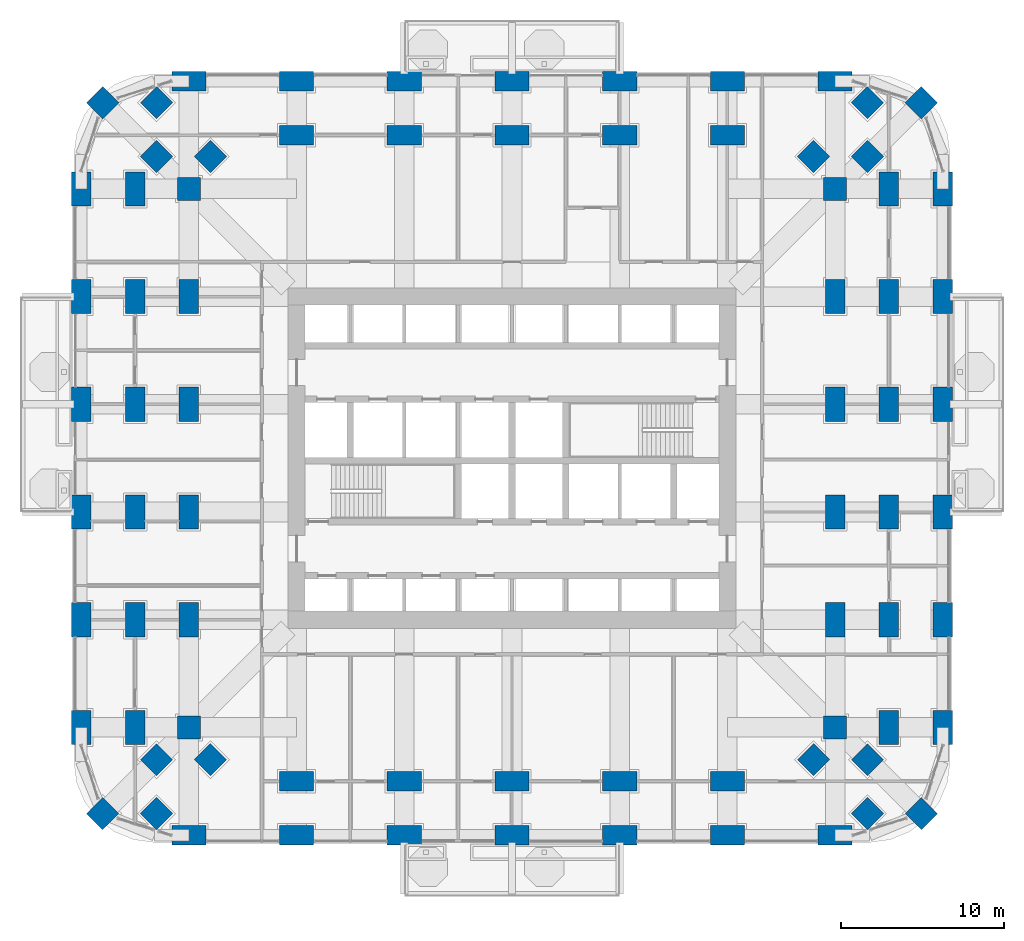
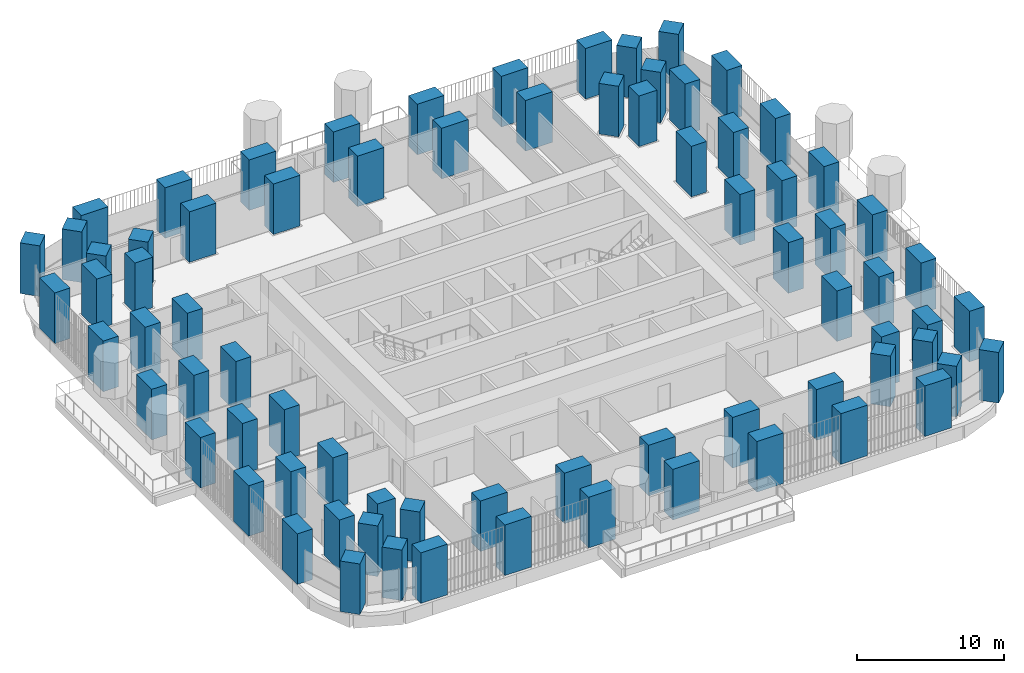
# One storey, part 1 of 26: 76 columns.
"""IFC4 building model written with IfcOpenShell, lengths in metres."""

import ifcopenshell
import ifcopenshell.guid

model = None  # the IFC model being written
_history = None  # IfcOwnerHistory: only IFC2X3 demands one
_inside = {}  # id of a spatial element -> (the spatial element, [elements in it])
_under = {}  # id of a project, library or spatial element -> (it, [spatial elements below it])
_declared = {}  # id of a project -> (the project, [libraries it declares])
_typed = {}  # id of a type object -> (the type object, [elements of that type])
_made_of = {}  # id of a material, layer set ... -> (it, [elements and type objects made of it])


def new_model(schema):
    """Start an empty IFC model of exactly this schema.

    Asked for "IFC4X3", IfcOpenShell would pick the latest addendum, in which some entities
    have other attributes; the version numbers below select the first issue.
    IFC2X3 requires an IfcOwnerHistory on every rooted entity: one is made here for all.
    """
    global model, _history
    if schema == "IFC4X3":
        model = ifcopenshell.file(schema_version=(4, 3, 0, 0))
    else:
        model = ifcopenshell.file(schema=schema)
    _inside.clear()
    _under.clear()
    _declared.clear()
    _typed.clear()
    _made_of.clear()
    _history = None
    if model.schema == "IFC2X3":
        org = make("IfcOrganization", Name="unknown")
        user = make(
            "IfcPersonAndOrganization",
            ThePerson=make("IfcPerson", FamilyName="unknown"),
            TheOrganization=org,
        )
        app = make(
            "IfcApplication",
            ApplicationDeveloper=org,
            Version="unknown",
            ApplicationFullName="unknown",
            ApplicationIdentifier="unknown",
        )
        _history = make(
            "IfcOwnerHistory",
            OwningUser=user,
            OwningApplication=app,
            ChangeAction="ADDED",
            CreationDate=0,
        )
    return model


def make(cls, **values):
    """One entity of the class cls with the attributes given. An attribute that is None is left unset."""
    return model.create_entity(
        cls, **{name: value for name, value in values.items() if value is not None}
    )


def rooted(cls, **values):
    """An entity with a GlobalId (a new one), such as an element, a storey or a relation."""
    return make(cls, GlobalId=ifcopenshell.guid.new(), OwnerHistory=_history, **values)


def si_unit(unit_type, name, prefix=None):
    """IfcSIUnit, for example si_unit("LENGTHUNIT", "METRE", prefix="MILLI")."""
    return make("IfcSIUnit", UnitType=unit_type, Prefix=prefix, Name=name)


def assignment(units):
    """IfcUnitAssignment: the units of a project."""
    return None if units is None else make("IfcUnitAssignment", Units=units)


def point(xyz):
    """IfcCartesianPoint."""
    return None if xyz is None else make("IfcCartesianPoint", Coordinates=xyz)


def direction(xyz):
    """IfcDirection."""
    return None if xyz is None else make("IfcDirection", DirectionRatios=xyz)


def frame(location, z_axis=None, x_axis=None):
    """IfcAxis2Placement3D, a coordinate frame: its origin and axes. An axis left out is left unset."""
    return make(
        "IfcAxis2Placement3D",
        Location=point(location),
        Axis=direction(z_axis),
        RefDirection=direction(x_axis),
    )


def frame_2d(location, x_axis=None):
    """IfcAxis2Placement2D, a coordinate frame in the plane: its origin and x axis."""
    return make(
        "IfcAxis2Placement2D", Location=point(location), RefDirection=direction(x_axis)
    )


def origin():
    """The frame at (0, 0, 0) with its axes left unset."""
    return frame((0.0, 0.0, 0.0))


def origin_2d():
    """The frame at (0, 0) in the plane with its x axis left unset."""
    return frame_2d((0.0, 0.0))


def place(relative_to, where):
    """IfcLocalPlacement: puts the frame where relative to a parent placement (None: the world)."""
    return make(
        "IfcLocalPlacement", PlacementRelTo=relative_to, RelativePlacement=where
    )


def context(
    kind, dimensions, precision=None, world=None, true_north=None, identifier=None
):
    """IfcGeometricRepresentationContext, for example the 3D "Model" context."""
    return make(
        "IfcGeometricRepresentationContext",
        ContextIdentifier=identifier,
        ContextType=kind,
        CoordinateSpaceDimension=dimensions,
        Precision=precision,
        WorldCoordinateSystem=world,
        TrueNorth=true_north,
    )


def subcontext(parent, identifier, kind, view, scale=None):
    """IfcGeometricRepresentationSubContext, for example "Body" below "Model"."""
    return make(
        "IfcGeometricRepresentationSubContext",
        ContextIdentifier=identifier,
        ContextType=kind,
        ParentContext=parent,
        TargetScale=scale,
        TargetView=view,
    )


def project(units=None, contexts=None):
    """IfcProject with its units and contexts."""
    return rooted(
        "IfcProject",
        Name="project",
        RepresentationContexts=contexts,
        UnitsInContext=assignment(units),
    )


def spatial(cls, under=None, at=None, **own):
    """A site, building, storey or space (cls), placed at a placement, below another one or the project."""
    s = rooted(cls, ObjectPlacement=at, **own)
    if under is not None:
        _under.setdefault(under.id(), (under, []))[1].append(s)
    return s


def profile(cls, at=None, kind="AREA", **sizes):
    """A parametric profile (cls). Its sizes go by their IFC names, for example OverallWidth=200.0."""
    return make(cls, ProfileType=kind, Position=at, **sizes)


def rectangle(**sizes):
    """IfcRectangleProfileDef."""
    return profile("IfcRectangleProfileDef", **sizes)


def extrude(swept, where, along, depth):
    """IfcExtrudedAreaSolid: the profile swept, set in the frame where, extruded along a direction by depth."""
    return make(
        "IfcExtrudedAreaSolid",
        SweptArea=swept,
        Position=where,
        ExtrudedDirection=direction(along),
        Depth=depth,
    )


def shape(context_of_items, identifier, shape_type, items):
    """IfcShapeRepresentation: the items that make up one representation, for example the "Body"."""
    return make(
        "IfcShapeRepresentation",
        ContextOfItems=context_of_items,
        RepresentationIdentifier=identifier,
        RepresentationType=shape_type,
        Items=items,
    )


def material(Name=None, Category=None):
    """IfcMaterial."""
    return make("IfcMaterial", Name=Name, Category=Category)


def material_profile(
    of_material, cross_section, Name=None, Category=None, Priority=None
):
    """IfcMaterialProfile: a cross section and its material."""
    return make(
        "IfcMaterialProfile",
        Name=Name,
        Material=of_material,
        Profile=cross_section,
        Priority=Priority,
        Category=Category,
    )


def profile_set(profiles, Name=None, composite=None):
    """IfcMaterialProfileSet."""
    return make(
        "IfcMaterialProfileSet",
        Name=Name,
        MaterialProfiles=profiles,
        CompositeProfile=composite,
    )


def made_of(thing, what):
    """Note that an element or type object is made of a material, layer set ...; save() writes the relation."""
    if what is not None:
        _made_of.setdefault(what.id(), (what, []))[1].append(thing)
    return thing


def type_object(cls, material=None, **own):
    """A type object (cls), such as IfcWallType, which elements share."""
    return made_of(rooted(cls, **own), material)


def element(
    cls,
    number,
    at=None,
    inside=None,
    cuts=None,
    type_object=None,
    material=None,
    context=None,
    identifier="Body",
    shape_type=None,
    held_by="IfcProductDefinitionShape",
    body=None,
    shapes=None,
    **own,
):
    """One element of the class cls, such as IfcWall. Its Tag is "e" and its number.

    at: its placement. inside: the storey or other place that contains it. cuts: it is an
    opening in that element (IfcRelVoidsElement). A single representation is given by context,
    identifier, shape_type and body (its items); several are given by shapes. held_by: the class
    of the entity that holds the representations. save() writes the other relations.
    """
    e = rooted(cls, Tag="e%d" % number, ObjectPlacement=at, **own)
    if body is not None:
        shapes = [shape(context, identifier, shape_type, body)]
    if shapes is not None:
        e.Representation = make(held_by, Representations=shapes)
    if inside is not None:
        _inside.setdefault(inside.id(), (inside, []))[1].append(e)
    if cuts is not None:
        rooted(
            "IfcRelVoidsElement", RelatingBuildingElement=cuts, RelatedOpeningElement=e
        )
    if type_object is not None:
        _typed.setdefault(type_object.id(), (type_object, []))[1].append(e)
    return made_of(e, material)


def aggregate(whole, parts):
    """IfcRelAggregates: a whole, such as a stair, and the parts it consists of."""
    return rooted("IfcRelAggregates", RelatingObject=whole, RelatedObjects=parts)


def save(model, path):
    """Write the relations noted so far, then the file.

    IfcRelAggregates (storeys below a building ...), IfcRelContainedInSpatialStructure (elements
    in a storey), IfcRelDefinesByType, IfcRelAssociatesMaterial and IfcRelDeclares: one each for
    every whole, place, type object, material and project.
    """
    for whole, parts in _under.values():
        aggregate(whole, parts)
    for where, things in _inside.values():
        rooted(
            "IfcRelContainedInSpatialStructure",
            RelatedElements=things,
            RelatingStructure=where,
        )
    for kind, things in _typed.values():
        rooted("IfcRelDefinesByType", RelatedObjects=things, RelatingType=kind)
    for what, things in _made_of.values():
        rooted("IfcRelAssociatesMaterial", RelatedObjects=things, RelatingMaterial=what)
    for by, libraries in _declared.values():
        rooted("IfcRelDeclares", RelatingContext=by, RelatedDefinitions=libraries)
    model.write(path)


model = new_model("IFC4")

# Units and contexts
model_context = context("Model", 3, precision=1e-05, world=origin(), true_north=direction((0.0, 1.0)))
body_context = subcontext(model_context, "Body", "Model", "MODEL_VIEW")
ifc_project = project(units=[si_unit("LENGTHUNIT", "METRE"), si_unit("AREAUNIT", "SQUARE_METRE"), si_unit("VOLUMEUNIT", "CUBIC_METRE"), si_unit("PLANEANGLEUNIT", "RADIAN"), si_unit("MASSUNIT", "GRAM", prefix="KILO")], contexts=[model_context])

# Site, building, storey
site_placement = place(None, origin())
site = spatial("IfcSite", under=ifc_project, at=site_placement, CompositionType="ELEMENT")
building_placement = place(site_placement, origin())
building = spatial("IfcBuilding", under=site, at=building_placement, Name="Cobogo Forest Laboratory Tower", CompositionType="ELEMENT")
storey_placement = place(building_placement, frame((0.0, 0.0, 33.89990234375)))
storey = spatial("IfcBuildingStorey", under=building, at=storey_placement, Name="L07", CompositionType="ELEMENT", Elevation=33.89990234375)

# Columns
ifc_material = material(Name="Concrete HA-50 (C50/60)", Category="concrete")
ifc_material_profile_1 = material_profile(ifc_material, rectangle(XDim=2.10009765625, YDim=1.199951171875, at=origin_2d()), Name="RC 1200x2100")
ifc_profile_set_1 = profile_set([ifc_material_profile_1], Name="Concrete HA-50 (C50/60)")
column_type_1 = type_object("IfcColumnType", Name="Blade column 1200x2100", PredefinedType="COLUMN", material=ifc_profile_set_1)
for number, where, z_axis, x_axis, name in (
    (1, (6.60009765625, 0.0, 0.0), (0.0, 0.0, 1.0), (1.0, 0.0, 0.0), "Column 2-A L07"),
    (2, (13.199951171875, 0.0, 0.0), (0.0, 0.0, 1.0), (1.0, 0.0, 0.0), "Column 3-A L07"),
    (3, (19.800048828125, 0.0, 0.0), (0.0, 0.0, 1.0), (1.0, 0.0, 0.0), "Column 4-A L07"),
    (4, (26.39990234375, 0.0, 0.0), (0.0, 0.0, 1.0), (1.0, 0.0, 0.0), "Column 5-A L07"),
    (5, (33.0, 0.0, 0.0), (0.0, 0.0, 1.0), (1.0, 0.0, 0.0), "Column 6-A L07"),
    (6, (39.60009765625, 0.0, 0.0), (0.0, 0.0, 1.0), (1.0, 0.0, 0.0), "Column 7-A L07"),
    (7, (46.199951171875, 0.0, 0.0), (0.0, 0.0, 1.0), (1.0, 0.0, 0.0), "Column 8-A L07"),
    (8, (0.0, 6.60009765625, 0.0), (0.0, 0.0, 1.0), (0.0, 1.0, 0.0), "Column 1-B L07"),
    (9, (52.800048828125, 6.60009765625, 0.0), (0.0, 0.0, 1.0), (0.0, 1.0, 0.0), "Column 9-B L07"),
    (10, (0.0, 13.199951171875, 0.0), (0.0, 0.0, 1.0), (0.0, 1.0, 0.0), "Column 1-C L07"),
    (11, (52.800048828125, 13.199951171875, 0.0), (0.0, 0.0, 1.0), (0.0, 1.0, 0.0), "Column 9-C L07"),
    (12, (0.0, 19.800048828125, 0.0), (0.0, 0.0, 1.0), (0.0, 1.0, 0.0), "Column 1-D L07"),
    (13, (52.800048828125, 19.800048828125, 0.0), (0.0, 0.0, 1.0), (0.0, 1.0, 0.0), "Column 9-D L07"),
    (14, (0.0, 26.39990234375, 0.0), (0.0, 0.0, 1.0), (0.0, 1.0, 0.0), "Column 1-E L07"),
    (15, (52.800048828125, 26.39990234375, 0.0), (0.0, 0.0, 1.0), (0.0, 1.0, 0.0), "Column 9-E L07"),
    (16, (0.0, 33.0, 0.0), (0.0, 0.0, 1.0), (0.0, 1.0, 0.0), "Column 1-F L07"),
    (17, (52.800048828125, 33.0, 0.0), (0.0, 0.0, 1.0), (0.0, 1.0, 0.0), "Column 9-F L07"),
    (18, (0.0, 39.60009765625, 0.0), (0.0, 0.0, 1.0), (0.0, 1.0, 0.0), "Column 1-G L07"),
    (19, (52.800048828125, 39.60009765625, 0.0), (0.0, 0.0, 1.0), (0.0, 1.0, 0.0), "Column 9-G L07"),
    (20, (6.60009765625, 46.199951171875, 0.0), (0.0, 0.0, 1.0), (1.0, 0.0, 0.0), "Column 2-H L07"),
    (21, (13.199951171875, 46.199951171875, 0.0), (0.0, 0.0, 1.0), (1.0, 0.0, 0.0), "Column 3-H L07"),
    (22, (19.800048828125, 46.199951171875, 0.0), (0.0, 0.0, 1.0), (1.0, 0.0, 0.0), "Column 4-H L07"),
    (23, (26.39990234375, 46.199951171875, 0.0), (0.0, 0.0, 1.0), (1.0, 0.0, 0.0), "Column 5-H L07"),
    (24, (33.0, 46.199951171875, 0.0), (0.0, 0.0, 1.0), (1.0, 0.0, 0.0), "Column 6-H L07"),
    (25, (39.60009765625, 46.199951171875, 0.0), (0.0, 0.0, 1.0), (1.0, 0.0, 0.0), "Column 7-H L07"),
    (26, (46.199951171875, 46.199951171875, 0.0), (0.0, 0.0, 1.0), (1.0, 0.0, 0.0), "Column 8-H L07"),
    (27, (3.300048828125, 6.60009765625, 0.0), (0.0, 0.0, 1.0), (0.0, 1.0, 0.0), "Column 1.1-B-B L07"),
    (28, (49.5, 6.60009765625, 0.0), (0.0, 0.0, 1.0), (0.0, 1.0, 0.0), "Column 8.1-B-B L07"),
    (29, (3.300048828125, 13.199951171875, 0.0), (0.0, 0.0, 1.0), (0.0, 1.0, 0.0), "Column 1.1-C-B L07"),
    (30, (49.5, 13.199951171875, 0.0), (0.0, 0.0, 1.0), (0.0, 1.0, 0.0), "Column 8.1-C-B L07"),
    (31, (3.300048828125, 19.800048828125, 0.0), (0.0, 0.0, 1.0), (0.0, 1.0, 0.0), "Column 1.1-D-B L07"),
    (32, (49.5, 19.800048828125, 0.0), (0.0, 0.0, 1.0), (0.0, 1.0, 0.0), "Column 8.1-D-B L07"),
    (33, (3.300048828125, 26.39990234375, 0.0), (0.0, 0.0, 1.0), (0.0, 1.0, 0.0), "Column 1.1-E-B L07"),
    (34, (49.5, 26.39990234375, 0.0), (0.0, 0.0, 1.0), (0.0, 1.0, 0.0), "Column 8.1-E-B L07"),
    (35, (3.300048828125, 33.0, 0.0), (0.0, 0.0, 1.0), (0.0, 1.0, 0.0), "Column 1.1-F-B L07"),
    (36, (49.5, 33.0, 0.0), (0.0, 0.0, 1.0), (0.0, 1.0, 0.0), "Column 8.1-F-B L07"),
    (37, (3.300048828125, 39.60009765625, 0.0), (0.0, 0.0, 1.0), (0.0, 1.0, 0.0), "Column 1.1-G-B L07"),
    (38, (49.5, 39.60009765625, 0.0), (0.0, 0.0, 1.0), (0.0, 1.0, 0.0), "Column 8.1-G-B L07"),
    (39, (13.199951171875, 3.300048828125, 0.0), (0.0, 0.0, 1.0), (1.0, 0.0, 0.0), "Column 3-A.1-C L07"),
    (40, (19.800048828125, 3.300048828125, 0.0), (0.0, 0.0, 1.0), (1.0, 0.0, 0.0), "Column 4-A.1-C L07"),
    (41, (26.39990234375, 3.300048828125, 0.0), (0.0, 0.0, 1.0), (1.0, 0.0, 0.0), "Column 5-A.1-C L07"),
    (42, (33.0, 3.300048828125, 0.0), (0.0, 0.0, 1.0), (1.0, 0.0, 0.0), "Column 6-A.1-C L07"),
    (43, (39.60009765625, 3.300048828125, 0.0), (0.0, 0.0, 1.0), (1.0, 0.0, 0.0), "Column 7-A.1-C L07"),
    (44, (13.199951171875, 42.89990234375, 0.0), (0.0, 0.0, 1.0), (1.0, 0.0, 0.0), "Column 3-G.1-C L07"),
    (45, (19.800048828125, 42.89990234375, 0.0), (0.0, 0.0, 1.0), (1.0, 0.0, 0.0), "Column 4-G.1-C L07"),
    (46, (26.39990234375, 42.89990234375, 0.0), (0.0, 0.0, 1.0), (1.0, 0.0, 0.0), "Column 5-G.1-C L07"),
    (47, (33.0, 42.89990234375, 0.0), (0.0, 0.0, 1.0), (1.0, 0.0, 0.0), "Column 6-G.1-C L07"),
    (48, (39.60009765625, 42.89990234375, 0.0), (0.0, 0.0, 1.0), (1.0, 0.0, 0.0), "Column 7-G.1-C L07"),
    (49, (6.60009765625, 13.199951171875, 0.0), (0.0, 0.0, 1.0), (0.0, 1.0, 0.0), "Column 2-C-D L07"),
    (50, (46.199951171875, 13.199951171875, 0.0), (0.0, 0.0, 1.0), (0.0, 1.0, 0.0), "Column 8-C-D L07"),
    (51, (6.60009765625, 19.800048828125, 0.0), (0.0, 0.0, 1.0), (0.0, 1.0, 0.0), "Column 2-D-D L07"),
    (52, (46.199951171875, 19.800048828125, 0.0), (0.0, 0.0, 1.0), (0.0, 1.0, 0.0), "Column 8-D-D L07"),
    (53, (6.60009765625, 26.39990234375, 0.0), (0.0, 0.0, 1.0), (0.0, 1.0, 0.0), "Column 2-E-D L07"),
    (54, (46.199951171875, 26.39990234375, 0.0), (0.0, 0.0, 1.0), (0.0, 1.0, 0.0), "Column 8-E-D L07"),
    (55, (6.60009765625, 33.0, 0.0), (0.0, 0.0, 1.0), (0.0, 1.0, 0.0), "Column 2-F-D L07"),
    (56, (46.199951171875, 33.0, 0.0), (0.0, 0.0, 1.0), (0.0, 1.0, 0.0), "Column 8-F-D L07"),
):
    element("IfcColumn", number, at=place(storey_placement, frame(where, z_axis=z_axis, x_axis=x_axis)), inside=storey, type_object=column_type_1, Name=name, PredefinedType="COLUMN", context=body_context, shape_type="SweptSolid", body=[
        extrude(rectangle(XDim=2.10009765625, YDim=1.199951171875, at=origin_2d()), origin(), (0.0, 0.0, 1.0), 4.2001953125),
    ])
ifc_material_profile_2 = material_profile(ifc_material, rectangle(XDim=1.39990234375, YDim=1.39990234375, at=origin_2d()), Name="RC 1400x1400")
ifc_profile_set_2 = profile_set([ifc_material_profile_2], Name="Concrete HA-50 (C50/60)")
column_type_2 = type_object("IfcColumnType", Name="Column 1400x1400", PredefinedType="COLUMN", material=ifc_profile_set_2)
for number, where, z_axis, x_axis, name in (
    (57, (1.318115234375, 1.318115234375, 0.0), (0.0, 0.0, 1.0), (0.707106781187, 0.707106781187, 0.0), "Column CNR-SW L07"),
    (58, (51.48193359375, 1.318115234375, 0.0), (0.0, 0.0, 1.0), (0.707106781187, 0.707106781187, 0.0), "Column CNR-SE L07"),
    (59, (1.318115234375, 44.882080078125, 0.0), (0.0, 0.0, 1.0), (0.707106781187, 0.707106781187, 0.0), "Column CNR-NW L07"),
    (60, (51.48193359375, 44.882080078125, 0.0), (0.0, 0.0, 1.0), (0.707106781187, 0.707106781187, 0.0), "Column CNR-NE L07"),
    (61, (6.60009765625, 6.60009765625, 0.0), (0.0, 0.0, 1.0), (1.0, 0.0, 0.0), "Column 2-B L07"),
    (62, (46.199951171875, 6.60009765625, 0.0), (0.0, 0.0, 1.0), (1.0, 0.0, 0.0), "Column 8-B L07"),
    (63, (6.60009765625, 39.60009765625, 0.0), (0.0, 0.0, 1.0), (1.0, 0.0, 0.0), "Column 2-G L07"),
    (64, (46.199951171875, 39.60009765625, 0.0), (0.0, 0.0, 1.0), (1.0, 0.0, 0.0), "Column 8-G L07"),
    (65, (4.617919921875, 1.318115234375, 0.0), (0.0, 0.0, 1.0), (0.707106781187, 0.707106781187, 0.0), "Column CNR-SW-B L07"),
    (66, (48.181884765625, 1.318115234375, 0.0), (0.0, 0.0, 1.0), (0.707106781187, 0.707106781187, 0.0), "Column CNR-SE-B L07"),
    (67, (4.617919921875, 44.882080078125, 0.0), (0.0, 0.0, 1.0), (0.707106781187, 0.707106781187, 0.0), "Column CNR-NW-B L07"),
    (68, (48.181884765625, 44.882080078125, 0.0), (0.0, 0.0, 1.0), (0.707106781187, 0.707106781187, 0.0), "Column CNR-NE-B L07"),
    (69, (4.617919921875, 4.617919921875, 0.0), (0.0, 0.0, 1.0), (0.707106781187, 0.707106781187, 0.0), "Column CNR-SW-C L07"),
    (70, (48.181884765625, 4.617919921875, 0.0), (0.0, 0.0, 1.0), (0.707106781187, 0.707106781187, 0.0), "Column CNR-SE-C L07"),
    (71, (4.617919921875, 41.58203125, 0.0), (0.0, 0.0, 1.0), (0.707106781187, 0.707106781187, 0.0), "Column CNR-NW-C L07"),
    (72, (48.181884765625, 41.58203125, 0.0), (0.0, 0.0, 1.0), (0.707106781187, 0.707106781187, 0.0), "Column CNR-NE-C L07"),
    (73, (7.91796875, 4.617919921875, 0.0), (0.0, 0.0, 1.0), (0.707106781187, 0.707106781187, 0.0), "Column CNR-SW-D L07"),
    (74, (44.882080078125, 4.617919921875, 0.0), (0.0, 0.0, 1.0), (0.707106781187, 0.707106781187, 0.0), "Column CNR-SE-D L07"),
    (75, (7.91796875, 41.58203125, 0.0), (0.0, 0.0, 1.0), (0.707106781187, 0.707106781187, 0.0), "Column CNR-NW-D L07"),
    (76, (44.882080078125, 41.58203125, 0.0), (0.0, 0.0, 1.0), (0.707106781187, 0.707106781187, 0.0), "Column CNR-NE-D L07"),
):
    element("IfcColumn", number, at=place(storey_placement, frame(where, z_axis=z_axis, x_axis=x_axis)), inside=storey, type_object=column_type_2, Name=name, PredefinedType="COLUMN", context=body_context, shape_type="SweptSolid", body=[
        extrude(rectangle(XDim=1.39990234375, YDim=1.39990234375, at=origin_2d()), origin(), (0.0, 0.0, 1.0), 4.2001953125),
    ])

save(model, "model.ifc")
